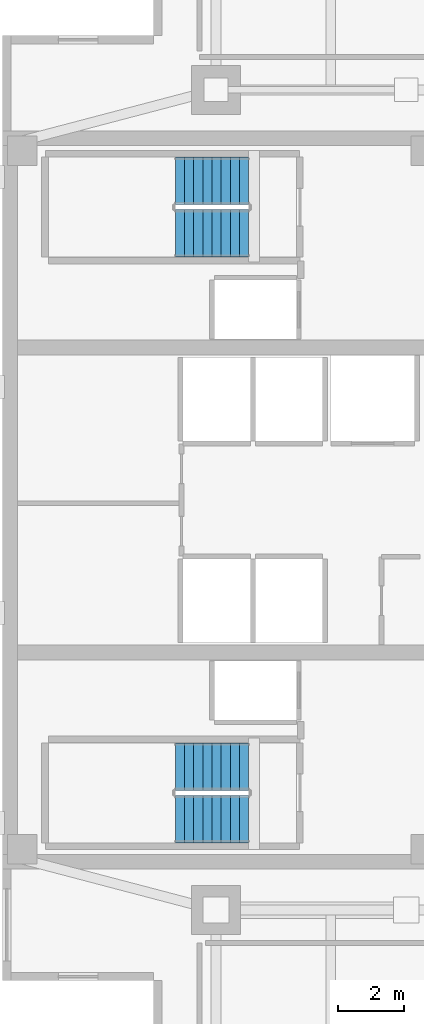
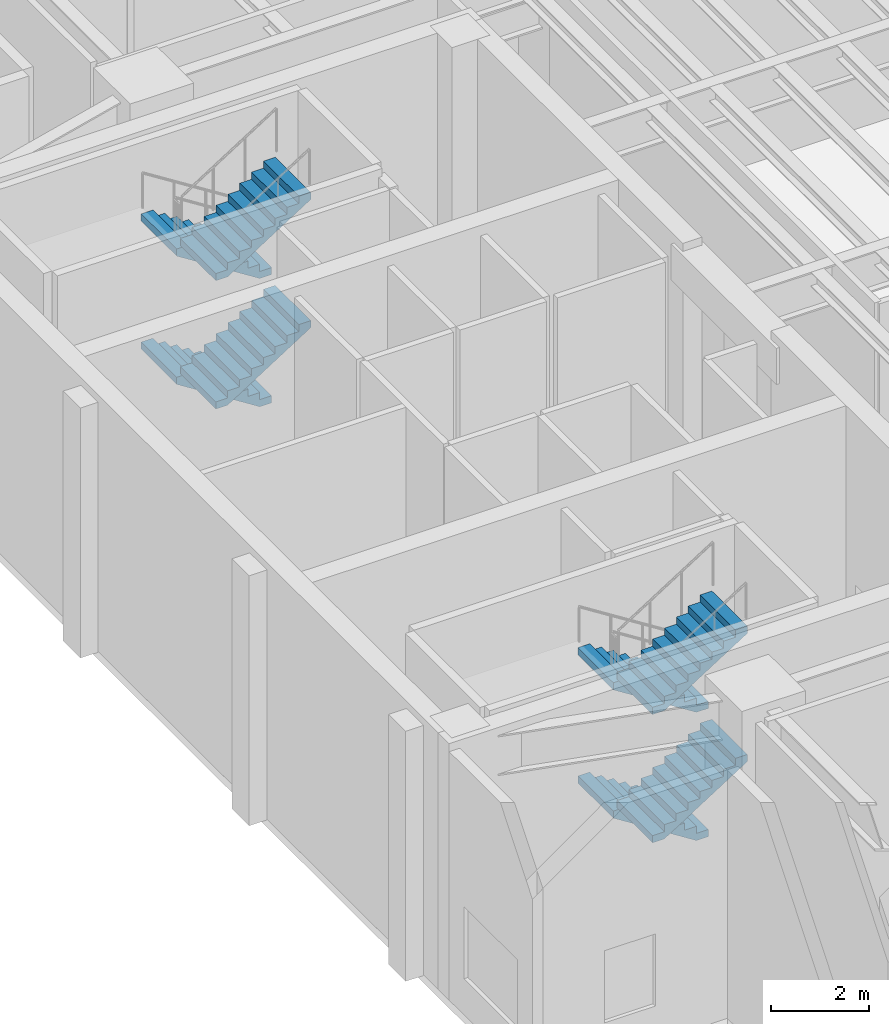
# One storey, part 10 of 11: 8 stair flights, 2 elements without a shape of their own.
"""IFC4 building model written with IfcOpenShell, lengths in metres."""

from ifc_helpers import new_model, si_unit, direction, frame, origin, place, context, subcontext, project, spatial, polyline, outline, extrude, material, type_object, element, aggregate, save


model = new_model("IFC4")

# Units and contexts
model_context = context("Model", 3, precision=1e-05, world=origin(), true_north=direction((0.0, 1.0)))
body_context = subcontext(model_context, "Body", "Model", "MODEL_VIEW")
ifc_project = project(units=[si_unit("LENGTHUNIT", "METRE"), si_unit("AREAUNIT", "SQUARE_METRE"), si_unit("VOLUMEUNIT", "CUBIC_METRE"), si_unit("PLANEANGLEUNIT", "RADIAN"), si_unit("MASSUNIT", "GRAM", prefix="KILO")], contexts=[model_context])

# Site, building, storey
site_placement = place(None, origin())
site = spatial("IfcSite", under=ifc_project, at=site_placement, CompositionType="ELEMENT")
building_placement = place(site_placement, origin())
building = spatial("IfcBuilding", under=site, at=building_placement, Name="Kinhvarn Gate Tower", CompositionType="ELEMENT")
storey_placement = place(building_placement, frame((0.0, 0.0, 296.64990234375)))
storey = spatial("IfcBuildingStorey", under=building, at=storey_placement, Name="L79", CompositionType="ELEMENT", Elevation=296.64990234375)

# Stair, stair flights
ifc_material = material(Name="Concrete C40/50", Category="concrete")
stair_type = type_object("IfcStairType", Name="STR-DLG-178", PredefinedType="HALF_TURN_STAIR", material=ifc_material)
stair_1_placement = place(storey_placement, origin())
stair_1 = element("IfcStair", 1, at=stair_1_placement, inside=storey, type_object=stair_type, Name="L79 Core Smokeproof Exit Stair ST1", PredefinedType="HALF_TURN_STAIR")
stair_flight_type = type_object("IfcStairFlightType", Name="STF-DLG-178", PredefinedType="STRAIGHT", material=ifc_material)
stair_flight_1_placement = place(storey_placement, frame((12.0, 17.125, 0.0), z_axis=(0.0, 0.0, 1.0), x_axis=(-1.0, 0.0, 0.0)))
stair_flight_1 = element("IfcStairFlight", 2, at=stair_flight_1_placement, type_object=stair_flight_type, Name="ST1 flight 1", NumberOfRisers=9, NumberOfTreads=8, PredefinedType="STRAIGHT", RiserHeight=0.177777778, TreadLength=0.28, context=body_context, shape_type="SweptSolid", body=[
    extrude(outline(polyline([(0.0, 0.0), (0.0, 0.177734375), (0.280029296875, 0.177734375), (0.280029296875, 0.35546875), (0.56005859375, 0.35546875), (0.56005859375, 0.533447265625), (0.840087890625, 0.533447265625), (0.840087890625, 0.711181640625), (1.1201171875, 0.711181640625), (1.1201171875, 0.888916015625), (1.39990234375, 0.888916015625), (1.39990234375, 1.066650390625), (1.679931640625, 1.066650390625), (1.679931640625, 1.244384765625), (1.9599609375, 1.244384765625), (1.9599609375, 1.422119140625), (2.239990234375, 1.422119140625), (2.239990234375, 1.60009765625), (2.239990234375, 1.24462890625), (0.27978515625, 0.0), (0.0, 0.0)])), frame((0.0, 0.72509765625, 0.0), z_axis=(0.0, -1.0, 0.0), x_axis=(1.0, 0.0, 0.0)), (0.0, 0.0, 1.0), 1.449951171875),
])
stair_flight_2_placement = place(storey_placement, frame((9.760009765625, 15.52490234375, 1.60009765625), z_axis=(0.0, 0.0, 1.0), x_axis=(1.0, 0.0, 0.0)))
stair_flight_2 = element("IfcStairFlight", 3, at=stair_flight_2_placement, type_object=stair_flight_type, Name="ST1 flight 2", NumberOfRisers=9, NumberOfTreads=8, PredefinedType="STRAIGHT", RiserHeight=0.177777778, TreadLength=0.28, context=body_context, shape_type="SweptSolid", body=[
    extrude(outline(polyline([(0.0, 0.0), (0.0, 0.177734375), (0.280029296875, 0.177734375), (0.280029296875, 0.35546875), (0.56005859375, 0.35546875), (0.56005859375, 0.533447265625), (0.840087890625, 0.533447265625), (0.840087890625, 0.711181640625), (1.1201171875, 0.711181640625), (1.1201171875, 0.888916015625), (1.39990234375, 0.888916015625), (1.39990234375, 1.066650390625), (1.679931640625, 1.066650390625), (1.679931640625, 1.244384765625), (1.9599609375, 1.244384765625), (1.9599609375, 1.422119140625), (2.239990234375, 1.422119140625), (2.239990234375, 1.60009765625), (2.239990234375, 1.24462890625), (0.27978515625, 0.0), (0.0, 0.0)])), frame((0.0, 0.72509765625, 0.0), z_axis=(0.0, -1.0, 0.0), x_axis=(1.0, 0.0, 0.0)), (0.0, 0.0, 1.0), 1.449951171875),
])
stair_flight_3_placement = place(storey_placement, frame((12.0, 17.125, 3.2001953125), z_axis=(0.0, 0.0, 1.0), x_axis=(-1.0, 0.0, 0.0)))
stair_flight_3 = element("IfcStairFlight", 4, at=stair_flight_3_placement, type_object=stair_flight_type, Name="ST1 flight 3", NumberOfRisers=9, NumberOfTreads=8, PredefinedType="STRAIGHT", RiserHeight=0.177777778, TreadLength=0.28, context=body_context, shape_type="SweptSolid", body=[
    extrude(outline(polyline([(0.0, 0.0), (0.0, 0.177734375), (0.280029296875, 0.177734375), (0.280029296875, 0.35546875), (0.56005859375, 0.35546875), (0.56005859375, 0.533447265625), (0.840087890625, 0.533447265625), (0.840087890625, 0.711181640625), (1.1201171875, 0.711181640625), (1.1201171875, 0.888916015625), (1.39990234375, 0.888916015625), (1.39990234375, 1.066650390625), (1.679931640625, 1.066650390625), (1.679931640625, 1.244384765625), (1.9599609375, 1.244384765625), (1.9599609375, 1.422119140625), (2.239990234375, 1.422119140625), (2.239990234375, 1.60009765625), (2.239990234375, 1.24462890625), (0.27978515625, 0.0), (0.0, 0.0)])), frame((0.0, 0.72509765625, 0.0), z_axis=(0.0, -1.0, 0.0), x_axis=(1.0, 0.0, 0.0)), (0.0, 0.0, 1.0), 1.449951171875),
])
stair_flight_4_placement = place(storey_placement, frame((9.760009765625, 15.52490234375, 4.800048828125), z_axis=(0.0, 0.0, 1.0), x_axis=(1.0, 0.0, 0.0)))
stair_flight_4 = element("IfcStairFlight", 5, at=stair_flight_4_placement, type_object=stair_flight_type, Name="ST1 flight 4", NumberOfRisers=9, NumberOfTreads=8, PredefinedType="STRAIGHT", RiserHeight=0.177777778, TreadLength=0.28, context=body_context, shape_type="SweptSolid", body=[
    extrude(outline(polyline([(0.0, 0.0), (0.0, 0.177734375), (0.280029296875, 0.177734375), (0.280029296875, 0.35546875), (0.56005859375, 0.35546875), (0.56005859375, 0.533447265625), (0.840087890625, 0.533447265625), (0.840087890625, 0.711181640625), (1.1201171875, 0.711181640625), (1.1201171875, 0.888916015625), (1.39990234375, 0.888916015625), (1.39990234375, 1.066650390625), (1.679931640625, 1.066650390625), (1.679931640625, 1.244384765625), (1.9599609375, 1.244384765625), (1.9599609375, 1.422119140625), (2.239990234375, 1.422119140625), (2.239990234375, 1.60009765625), (2.239990234375, 1.24462890625), (0.27978515625, 0.0), (0.0, 0.0)])), frame((0.0, 0.72509765625, 0.0), z_axis=(0.0, -1.0, 0.0), x_axis=(1.0, 0.0, 0.0)), (0.0, 0.0, 1.0), 1.449951171875),
])
aggregate(stair_1, [stair_flight_1, stair_flight_2, stair_flight_3, stair_flight_4])

stair_2_placement = place(storey_placement, origin())
stair_2 = element("IfcStair", 6, at=stair_2_placement, inside=storey, type_object=stair_type, Name="L79 Core Smokeproof Exit Stair ST2", PredefinedType="HALF_TURN_STAIR")
stair_flight_5_placement = place(storey_placement, frame((12.0, 34.97509765625, 0.0), z_axis=(0.0, 0.0, 1.0), x_axis=(-1.0, 0.0, 0.0)))
stair_flight_5 = element("IfcStairFlight", 7, at=stair_flight_5_placement, type_object=stair_flight_type, Name="ST2 flight 1", NumberOfRisers=9, NumberOfTreads=8, PredefinedType="STRAIGHT", RiserHeight=0.177777778, TreadLength=0.28, context=body_context, shape_type="SweptSolid", body=[
    extrude(outline(polyline([(0.0, 0.0), (0.0, 0.177734375), (0.280029296875, 0.177734375), (0.280029296875, 0.35546875), (0.56005859375, 0.35546875), (0.56005859375, 0.533447265625), (0.840087890625, 0.533447265625), (0.840087890625, 0.711181640625), (1.1201171875, 0.711181640625), (1.1201171875, 0.888916015625), (1.39990234375, 0.888916015625), (1.39990234375, 1.066650390625), (1.679931640625, 1.066650390625), (1.679931640625, 1.244384765625), (1.9599609375, 1.244384765625), (1.9599609375, 1.422119140625), (2.239990234375, 1.422119140625), (2.239990234375, 1.60009765625), (2.239990234375, 1.24462890625), (0.27978515625, 0.0), (0.0, 0.0)])), frame((0.0, 0.72509765625, 0.0), z_axis=(0.0, -1.0, 0.0), x_axis=(1.0, 0.0, 0.0)), (0.0, 0.0, 1.0), 1.449951171875),
])
stair_flight_6_placement = place(storey_placement, frame((9.760009765625, 33.375, 1.60009765625), z_axis=(0.0, 0.0, 1.0), x_axis=(1.0, 0.0, 0.0)))
stair_flight_6 = element("IfcStairFlight", 8, at=stair_flight_6_placement, type_object=stair_flight_type, Name="ST2 flight 2", NumberOfRisers=9, NumberOfTreads=8, PredefinedType="STRAIGHT", RiserHeight=0.177777778, TreadLength=0.28, context=body_context, shape_type="SweptSolid", body=[
    extrude(outline(polyline([(0.0, 0.0), (0.0, 0.177734375), (0.280029296875, 0.177734375), (0.280029296875, 0.35546875), (0.56005859375, 0.35546875), (0.56005859375, 0.533447265625), (0.840087890625, 0.533447265625), (0.840087890625, 0.711181640625), (1.1201171875, 0.711181640625), (1.1201171875, 0.888916015625), (1.39990234375, 0.888916015625), (1.39990234375, 1.066650390625), (1.679931640625, 1.066650390625), (1.679931640625, 1.244384765625), (1.9599609375, 1.244384765625), (1.9599609375, 1.422119140625), (2.239990234375, 1.422119140625), (2.239990234375, 1.60009765625), (2.239990234375, 1.24462890625), (0.27978515625, 0.0), (0.0, 0.0)])), frame((0.0, 0.72509765625, 0.0), z_axis=(0.0, -1.0, 0.0), x_axis=(1.0, 0.0, 0.0)), (0.0, 0.0, 1.0), 1.449951171875),
])
stair_flight_7_placement = place(storey_placement, frame((12.0, 34.97509765625, 3.2001953125), z_axis=(0.0, 0.0, 1.0), x_axis=(-1.0, 0.0, 0.0)))
stair_flight_7 = element("IfcStairFlight", 9, at=stair_flight_7_placement, type_object=stair_flight_type, Name="ST2 flight 3", NumberOfRisers=9, NumberOfTreads=8, PredefinedType="STRAIGHT", RiserHeight=0.177777778, TreadLength=0.28, context=body_context, shape_type="SweptSolid", body=[
    extrude(outline(polyline([(0.0, 0.0), (0.0, 0.177734375), (0.280029296875, 0.177734375), (0.280029296875, 0.35546875), (0.56005859375, 0.35546875), (0.56005859375, 0.533447265625), (0.840087890625, 0.533447265625), (0.840087890625, 0.711181640625), (1.1201171875, 0.711181640625), (1.1201171875, 0.888916015625), (1.39990234375, 0.888916015625), (1.39990234375, 1.066650390625), (1.679931640625, 1.066650390625), (1.679931640625, 1.244384765625), (1.9599609375, 1.244384765625), (1.9599609375, 1.422119140625), (2.239990234375, 1.422119140625), (2.239990234375, 1.60009765625), (2.239990234375, 1.24462890625), (0.27978515625, 0.0), (0.0, 0.0)])), frame((0.0, 0.72509765625, 0.0), z_axis=(0.0, -1.0, 0.0), x_axis=(1.0, 0.0, 0.0)), (0.0, 0.0, 1.0), 1.449951171875),
])
stair_flight_8_placement = place(storey_placement, frame((9.760009765625, 33.375, 4.800048828125), z_axis=(0.0, 0.0, 1.0), x_axis=(1.0, 0.0, 0.0)))
stair_flight_8 = element("IfcStairFlight", 10, at=stair_flight_8_placement, type_object=stair_flight_type, Name="ST2 flight 4", NumberOfRisers=9, NumberOfTreads=8, PredefinedType="STRAIGHT", RiserHeight=0.177777778, TreadLength=0.28, context=body_context, shape_type="SweptSolid", body=[
    extrude(outline(polyline([(0.0, 0.0), (0.0, 0.177734375), (0.280029296875, 0.177734375), (0.280029296875, 0.35546875), (0.56005859375, 0.35546875), (0.56005859375, 0.533447265625), (0.840087890625, 0.533447265625), (0.840087890625, 0.711181640625), (1.1201171875, 0.711181640625), (1.1201171875, 0.888916015625), (1.39990234375, 0.888916015625), (1.39990234375, 1.066650390625), (1.679931640625, 1.066650390625), (1.679931640625, 1.244384765625), (1.9599609375, 1.244384765625), (1.9599609375, 1.422119140625), (2.239990234375, 1.422119140625), (2.239990234375, 1.60009765625), (2.239990234375, 1.24462890625), (0.27978515625, 0.0), (0.0, 0.0)])), frame((0.0, 0.72509765625, 0.0), z_axis=(0.0, -1.0, 0.0), x_axis=(1.0, 0.0, 0.0)), (0.0, 0.0, 1.0), 1.449951171875),
])
aggregate(stair_2, [stair_flight_5, stair_flight_6, stair_flight_7, stair_flight_8])

save(model, "model.ifc")
